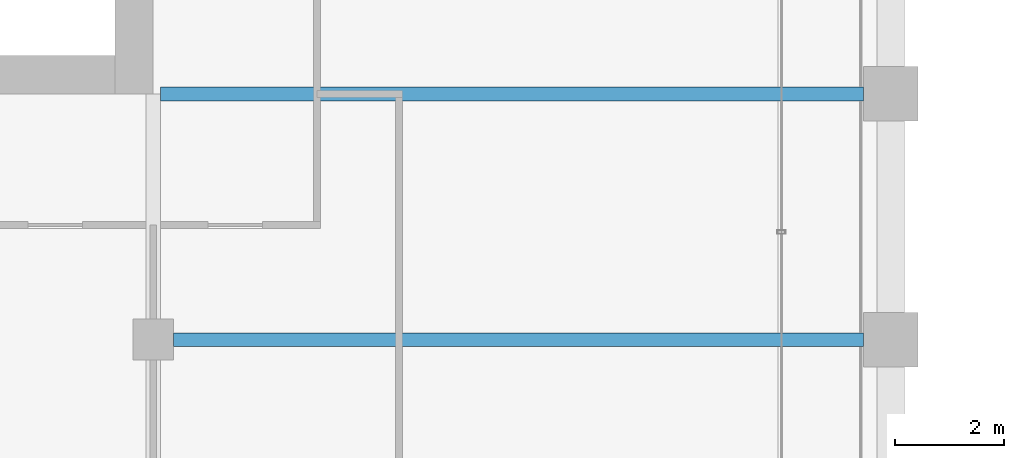
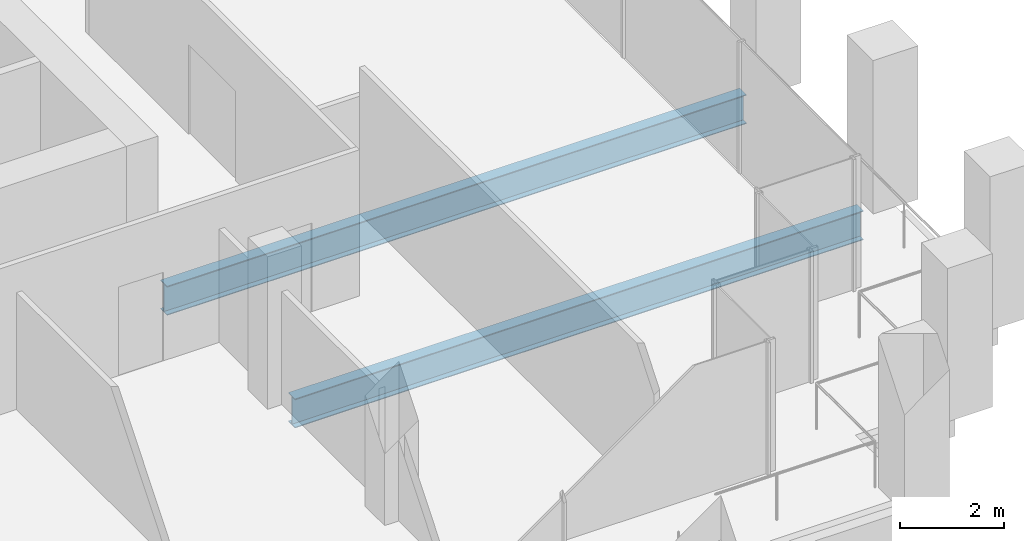
# One storey, part 14 of 46: 2 beams.
"""IFC4 building model written with IfcOpenShell, lengths in metres."""

from ifc_helpers import new_model, si_unit, direction, frame, origin, origin_2d, place, context, subcontext, project, spatial, i_section, extrude, material, material_profile, profile_set, type_object, element, save


model = new_model("IFC4")

# Units and contexts
model_context = context("Model", 3, precision=1e-05, world=origin(), true_north=direction((0.0, 1.0)))
body_context = subcontext(model_context, "Body", "Model", "MODEL_VIEW")
ifc_project = project(units=[si_unit("LENGTHUNIT", "METRE"), si_unit("AREAUNIT", "SQUARE_METRE"), si_unit("VOLUMEUNIT", "CUBIC_METRE"), si_unit("PLANEANGLEUNIT", "RADIAN"), si_unit("MASSUNIT", "GRAM", prefix="KILO")], contexts=[model_context])

# Site, building, storey
site_placement = place(None, origin())
site = spatial("IfcSite", under=ifc_project, at=site_placement, CompositionType="ELEMENT")
building_placement = place(site_placement, origin())
building = spatial("IfcBuilding", under=site, at=building_placement, Name="Altepetl Exchange Towers", CompositionType="ELEMENT")
storey_placement = place(building_placement, frame((0.0, 0.0, 128.0)))
storey = spatial("IfcBuildingStorey", under=building, at=storey_placement, Name="L31", CompositionType="ELEMENT", Elevation=128.0)

# Beams
ifc_material = material(Name="Steel S355", Category="steel")
ifc_material_profile = material_profile(ifc_material, i_section(OverallWidth=0.25390625, OverallDepth=0.68408203125, WebThickness=0.012451171875, FlangeThickness=0.018798828125, at=origin_2d()), Name="W27X94")
ifc_profile_set = profile_set([ifc_material_profile], Name="Steel S355")
beam_type = type_object("IfcBeamType", Name="Floor beam W27X94", PredefinedType="BEAM", material=ifc_profile_set)
beam_1_placement = place(storey_placement, frame((58.875, 36.0, -0.491943359375), z_axis=(1.0, 0.0, 0.0), x_axis=(0.0, 1.0, 0.0)))
element("IfcBeam", 1, at=beam_1_placement, inside=storey, type_object=beam_type, Name="bm:A:L31:007", PredefinedType="BEAM", context=body_context, shape_type="SweptSolid", body=[
    extrude(i_section(OverallWidth=0.25390625, OverallDepth=0.68408203125, WebThickness=0.012451171875, FlangeThickness=0.018798828125, at=origin_2d()), origin(), (0.0, 0.0, 1.0), 12.625),
])
beam_2_placement = place(storey_placement, frame((58.634033203125, 40.5, -0.491943359375), z_axis=(1.0, 0.0, 0.0), x_axis=(0.0, 1.0, 0.0)))
element("IfcBeam", 2, at=beam_2_placement, inside=storey, type_object=beam_type, Name="bm:A:L31:008", PredefinedType="BEAM", context=body_context, shape_type="SweptSolid", body=[
    extrude(i_section(OverallWidth=0.25390625, OverallDepth=0.68408203125, WebThickness=0.012451171875, FlangeThickness=0.018798828125, at=origin_2d()), origin(), (0.0, 0.0, 1.0), 12.865966796875),
])

save(model, "model.ifc")
